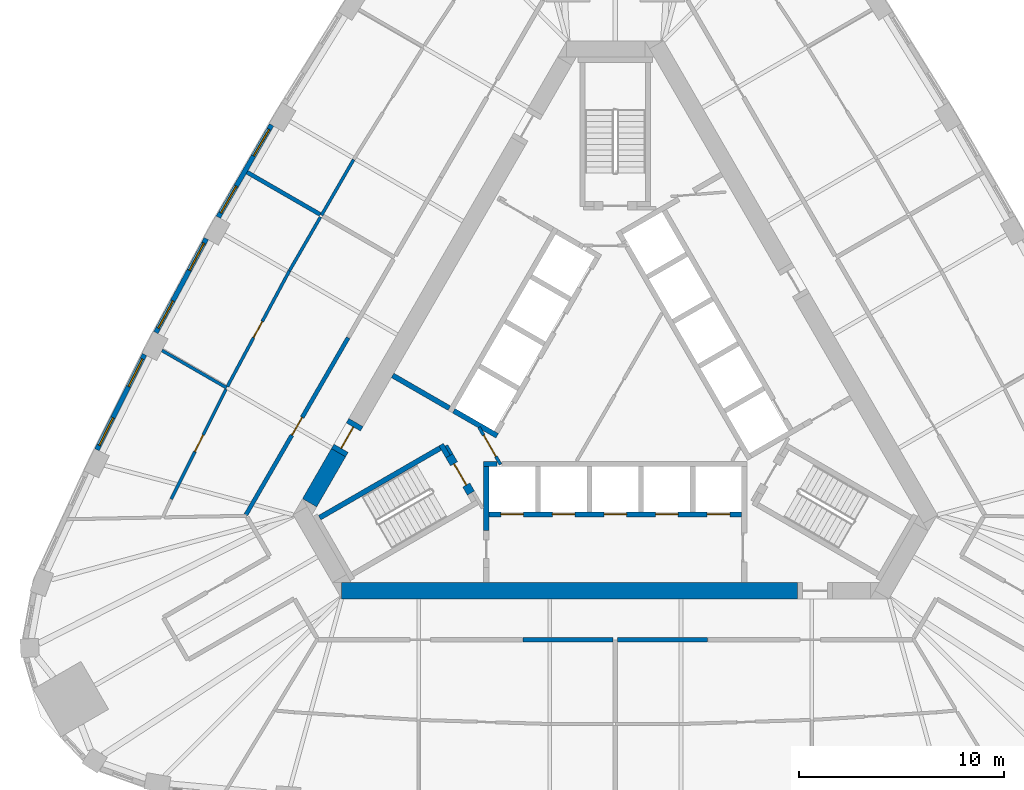
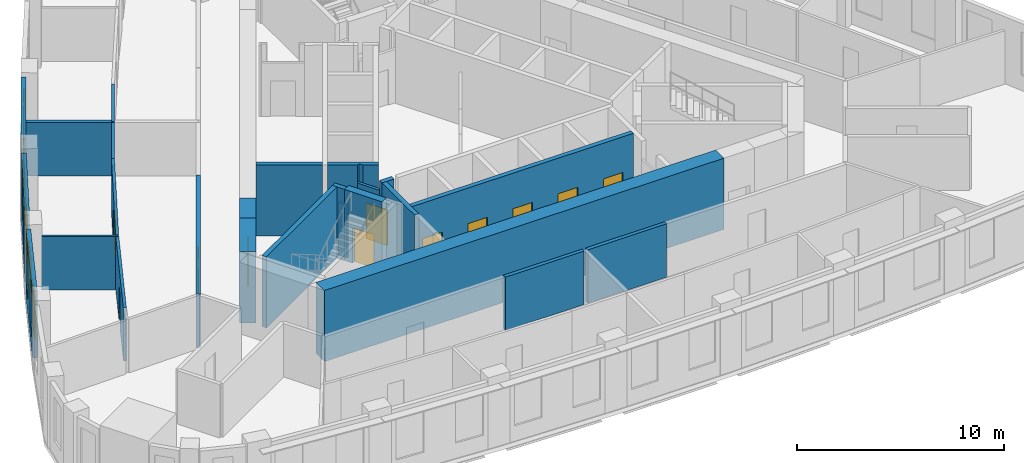
# One storey, part 4 of 10: 25 walls, 11 doors, 6 windows, 17 openings.
"""IFC4 building model written with IfcOpenShell, lengths in metres."""

from ifc_helpers import new_model, si_unit, direction, frame, frame_2d, origin, place, context, subcontext, project, spatial, polyline, rectangle, outline, extrude, material, layer, layer_set, type_object, element, fill, save


model = new_model("IFC4")

# Units and contexts
model_context = context("Model", 3, precision=1e-05, world=origin(), true_north=direction((0.0, 1.0)))
body_context = subcontext(model_context, "Body", "Model", "MODEL_VIEW")
ifc_project = project(units=[si_unit("LENGTHUNIT", "METRE"), si_unit("AREAUNIT", "SQUARE_METRE"), si_unit("VOLUMEUNIT", "CUBIC_METRE"), si_unit("PLANEANGLEUNIT", "RADIAN"), si_unit("MASSUNIT", "GRAM", prefix="KILO")], contexts=[model_context])

# Site, building, storey
site_placement = place(None, origin())
site = spatial("IfcSite", under=ifc_project, at=site_placement, CompositionType="ELEMENT")
building_placement = place(site_placement, origin())
building = spatial("IfcBuilding", under=site, at=building_placement, Name="Mestral Congress Tower", CompositionType="ELEMENT")
storey_placement = place(building_placement, frame((0.0, 0.0, 162.60009765625)))
storey = spatial("IfcBuildingStorey", under=building, at=storey_placement, Name="L38", CompositionType="ELEMENT", Elevation=162.60009765625)

# Wall
ifc_material_1 = material(Name="Fire-rated board partition")
ifc_layer_1 = layer(ifc_material_1, 0.14990234375)
ifc_layer_set_1 = layer_set([ifc_layer_1], Name="Fire-rated board partition")
wall_type_1 = type_object("IfcWallType", Name="Core partition 150", PredefinedType="PARTITIONING", material=ifc_layer_set_1)
wall_1_placement = place(storey_placement, frame((-8.251953125, -2.958251953125, 0.0), z_axis=(0.0, 0.0, 1.0), x_axis=(0.500174715838, -0.865924508047, 0.0)))
element("IfcWall", 1, at=wall_1_placement, inside=storey, type_object=wall_type_1, Name="L38 core wall", PredefinedType="PARTITIONING", context=body_context, shape_type="SweptSolid", body=[
    extrude(rectangle(XDim=0.513916015625, YDim=0.14990234375, at=frame_2d((0.2568359375, 0.0))), origin(), (0.0, 0.0, 1.0), 3.14990234375),
])

# Wall, opening, door
wall_2_placement = place(storey_placement, frame((-5.606201171875, -3.8896484375, 0.0), z_axis=(0.0, 0.0, 1.0), x_axis=(-0.500027713859, 0.866009402589, 0.0)))
wall_2 = element("IfcWall", 2, at=wall_2_placement, inside=storey, type_object=wall_type_1, Name="L38 door wall", PredefinedType="PARTITIONING", context=body_context, shape_type="SweptSolid", body=[
    extrude(rectangle(XDim=2.10009765625, YDim=0.14990234375, at=frame_2d((1.050048828125, 0.0))), origin(), (0.0, 0.0, 1.0), 3.14990234375),
])
opening_1_placement = place(wall_2_placement, frame((0.449951171875, 0.0, 0.0)))
opening_1 = element("IfcOpeningElement", 3, at=opening_1_placement, cuts=wall_2, Name="Opening CD3-FF", PredefinedType="OPENING", context=body_context, shape_type="SweptSolid", body=[
    extrude(rectangle(XDim=1.199951171875, YDim=2.10009765625, at=frame_2d((0.60009765625, 1.050048828125))), frame((0.0, 0.0849609375, 0.0), z_axis=(0.0, -1.0, 0.0), x_axis=(1.0, 0.0, 0.0)), (0.0, 0.0, 1.0), 0.169921875),
])
ifc_material_2 = material(Name="Fire-rated steel door set", Category="steel")
door_type_1 = type_object("IfcDoorType", Name="Core door CD 1200x2100", OperationType="SINGLE_SWING_LEFT", PredefinedType="DOOR", material=ifc_material_2)
door_1_placement = place(opening_1_placement, origin())
door_1 = element("IfcDoor", 4, at=door_1_placement, inside=storey, type_object=door_type_1, Name="Door CD3-FF", OperationType="SINGLE_SWING_LEFT", OverallHeight=2.10009765625, OverallWidth=1.199951171875, PredefinedType="DOOR", context=body_context, shape_type="SweptSolid", body=[
    extrude(rectangle(XDim=1.199951171875, YDim=2.10009765625, at=frame_2d((0.60009765625, 1.050048828125))), frame((0.0, 0.02490234375, 0.0), z_axis=(0.0, -1.0, 0.0), x_axis=(1.0, 0.0, 0.0)), (0.0, 0.0, 1.0), 0.050048828125),
])
fill(opening_1, door_1)

# Walls
ifc_material_3 = material(Name="Concrete C60/75", Category="concrete")
ifc_layer_2 = layer(ifc_material_3, 0.800048828125)
ifc_layer_set_2 = layer_set([ifc_layer_2], Name="Concrete C60/75")
wall_type_2 = type_object("IfcWallType", Name="Core wall RC 800", PredefinedType="SOLIDWALL", material=ifc_layer_set_2)
wall_3_placement = place(storey_placement, frame((-13.377685546875, -10.050048828125, 0.0), z_axis=(0.0, 0.0, 1.0), x_axis=(1.0, 0.0, 0.0)))
element("IfcWall", 5, at=wall_3_placement, inside=storey, type_object=wall_type_2, Name="L38 core wall", PredefinedType="SOLIDWALL", context=body_context, shape_type="SweptSolid", body=[
    extrude(rectangle(XDim=22.281982421875, YDim=0.800048828125, at=frame_2d((11.14111328125, 0.0))), origin(), (0.0, 0.0, 1.0), 4.199951171875),
])
wall_4_placement = place(storey_placement, frame((-13.518310546875, -3.314208984375, 0.0), z_axis=(0.0, 0.0, 1.0), x_axis=(-0.499969377405, -0.866043083026, 0.0)))
element("IfcWall", 6, at=wall_4_placement, inside=storey, type_object=wall_type_2, Name="L38 core wall", PredefinedType="SOLIDWALL", context=body_context, shape_type="SweptSolid", body=[
    extrude(rectangle(XDim=2.824462890625, YDim=0.800048828125, at=frame_2d((1.412109375, 0.0))), origin(), (0.0, 0.0, 1.0), 4.199951171875),
])

# Wall, opening, door
wall_5_placement = place(storey_placement, frame((-13.518310546875, -3.314208984375, 0.0), z_axis=(0.0, 0.0, 1.0), x_axis=(0.500062241894, 0.865989465428, 0.0)))
wall_5 = element("IfcWall", 7, at=wall_5_placement, inside=storey, type_object=wall_type_2, Name="L38 door wall", PredefinedType="SOLIDWALL", context=body_context, shape_type="SweptSolid", body=[
    extrude(rectangle(XDim=1.699951171875, YDim=0.800048828125, at=frame_2d((0.85009765625, 0.0))), origin(), (0.0, 0.0, 1.0), 4.199951171875),
])
opening_2_placement = place(wall_5_placement, frame((0.25, 0.0, 0.0)))
opening_2 = element("IfcOpeningElement", 8, at=opening_2_placement, cuts=wall_5, Name="Opening XD3", PredefinedType="OPENING", context=body_context, shape_type="SweptSolid", body=[
    extrude(rectangle(XDim=1.199951171875, YDim=2.10009765625, at=frame_2d((0.60009765625, 1.050048828125))), frame((0.0, 0.409912109375, 0.0), z_axis=(0.0, -1.0, 0.0), x_axis=(1.0, 0.0, 0.0)), (0.0, 0.0, 1.0), 0.820068359375),
])
door_type_2 = type_object("IfcDoorType", Name="Core door XD 1200x2100", OperationType="SINGLE_SWING_LEFT", PredefinedType="DOOR", material=ifc_material_2)
door_2_placement = place(opening_2_placement, origin())
door_2 = element("IfcDoor", 9, at=door_2_placement, inside=storey, type_object=door_type_2, Name="Door XD3", OperationType="SINGLE_SWING_LEFT", OverallHeight=2.10009765625, OverallWidth=1.199951171875, PredefinedType="DOOR", context=body_context, shape_type="SweptSolid", body=[
    extrude(rectangle(XDim=1.199951171875, YDim=2.10009765625, at=frame_2d((0.60009765625, 1.050048828125))), frame((0.0, 0.02490234375, 0.0), z_axis=(0.0, -1.0, 0.0), x_axis=(1.0, 0.0, 0.0)), (0.0, 0.0, 1.0), 0.050048828125),
])
fill(opening_2, door_2)

# Wall, openings, windows
ifc_material_4 = material(Name="Precast concrete C40/50 with limestone facing", Category="masonry")
ifc_layer_3 = layer(ifc_material_4, 0.239990234375)
ifc_layer_set_3 = layer_set([ifc_layer_3], Name="Precast concrete C40/50 with limestone facing")
wall_type_3 = type_object("IfcWallType", Name="Facade stone wall 240", PredefinedType="SOLIDWALL", material=ifc_layer_set_3)
wall_6_placement = place(storey_placement, frame((-16.788818359375, 12.697265625, 0.0), z_axis=(0.0, 0.0, 1.0), x_axis=(-0.500009456303, -0.866019944116, 0.0)))
wall_6 = element("IfcWall", 10, at=wall_6_placement, inside=storey, type_object=wall_type_3, Name="Facade wall F2-03", PredefinedType="SOLIDWALL", context=body_context, shape_type="SweptSolid", body=[
    extrude(rectangle(XDim=5.20361328125, YDim=0.239990234375, at=frame_2d((2.601806640625, 0.0))), origin(), (0.0, 0.0, 1.0), 3.949951171875),
])
opening_3_placement = place(wall_6_placement, frame((0.248291015625, 0.0, 0.89990234375)))
opening_3 = element("IfcOpeningElement", 11, at=opening_3_placement, cuts=wall_6, Name="Opening W4", PredefinedType="OPENING", context=body_context, shape_type="SweptSolid", body=[
    extrude(rectangle(XDim=1.5, YDim=2.550048828125, at=frame_2d((0.75, 1.27490234375))), frame((0.0, 0.1298828125, 0.0), z_axis=(0.0, -1.0, 0.0), x_axis=(1.0, 0.0, 0.0)), (0.0, 0.0, 1.0), 0.260009765625),
])
opening_4_placement = place(wall_6_placement, frame((3.455078125, 0.0, 0.89990234375)))
opening_4 = element("IfcOpeningElement", 12, at=opening_4_placement, cuts=wall_6, Name="Opening W4", PredefinedType="OPENING", context=body_context, shape_type="SweptSolid", body=[
    extrude(rectangle(XDim=1.5, YDim=2.550048828125, at=frame_2d((0.75, 1.27490234375))), frame((0.0, 0.1298828125, 0.0), z_axis=(0.0, -1.0, 0.0), x_axis=(1.0, 0.0, 0.0)), (0.0, 0.0, 1.0), 0.260009765625),
])
ifc_material_5 = material(Name="Clear low-emissivity double glazing", Category="glass")
window_type = type_object("IfcWindowType", Name="Facade punched window 1500 x 2550 sill 900", PartitioningType="SINGLE_PANEL", PredefinedType="WINDOW", material=ifc_material_5)
window_1_placement = place(opening_3_placement, origin())
window_1 = element("IfcWindow", 13, at=window_1_placement, inside=storey, type_object=window_type, Name="Window F2-03a", OverallHeight=2.550048828125, OverallWidth=1.5, PartitioningType="SINGLE_PANEL", PredefinedType="WINDOW", context=body_context, shape_type="SweptSolid", body=[
    extrude(rectangle(XDim=1.5, YDim=2.550048828125, at=frame_2d((0.75, 1.27490234375))), frame((0.0, 0.0400390625, 0.0), z_axis=(0.0, -1.0, 0.0), x_axis=(1.0, 0.0, 0.0)), (0.0, 0.0, 1.0), 0.06005859375),
])
fill(opening_3, window_1)
window_2_placement = place(opening_4_placement, origin())
window_2 = element("IfcWindow", 14, at=window_2_placement, inside=storey, type_object=window_type, Name="Window F2-03b", OverallHeight=2.550048828125, OverallWidth=1.5, PartitioningType="SINGLE_PANEL", PredefinedType="WINDOW", context=body_context, shape_type="SweptSolid", body=[
    extrude(rectangle(XDim=1.5, YDim=2.550048828125, at=frame_2d((0.75, 1.27490234375))), frame((0.0, 0.0400390625, 0.0), z_axis=(0.0, -1.0, 0.0), x_axis=(1.0, 0.0, 0.0)), (0.0, 0.0, 1.0), 0.06005859375),
])
fill(opening_4, window_2)

wall_7_placement = place(storey_placement, frame((-19.976806640625, 7.138671875, 0.0), z_axis=(0.0, 0.0, 1.0), x_axis=(-0.473349833294, -0.880874528704, 0.0)))
wall_7 = element("IfcWall", 15, at=wall_7_placement, inside=storey, type_object=wall_type_3, Name="Facade wall F2-04", PredefinedType="SOLIDWALL", context=body_context, shape_type="SweptSolid", body=[
    extrude(rectangle(XDim=5.20361328125, YDim=0.239990234375, at=frame_2d((2.601806640625, 0.0))), origin(), (0.0, 0.0, 1.0), 3.949951171875),
])
opening_5_placement = place(wall_7_placement, frame((0.248291015625, 0.0, 0.89990234375)))
opening_5 = element("IfcOpeningElement", 16, at=opening_5_placement, cuts=wall_7, Name="Opening W4", PredefinedType="OPENING", context=body_context, shape_type="SweptSolid", body=[
    extrude(rectangle(XDim=1.5, YDim=2.550048828125, at=frame_2d((0.75, 1.27490234375))), frame((0.0, 0.1298828125, 0.0), z_axis=(0.0, -1.0, 0.0), x_axis=(1.0, 0.0, 0.0)), (0.0, 0.0, 1.0), 0.260009765625),
])
opening_6_placement = place(wall_7_placement, frame((3.455078125, 0.0, 0.89990234375)))
opening_6 = element("IfcOpeningElement", 17, at=opening_6_placement, cuts=wall_7, Name="Opening W4", PredefinedType="OPENING", context=body_context, shape_type="SweptSolid", body=[
    extrude(rectangle(XDim=1.5, YDim=2.550048828125, at=frame_2d((0.75, 1.27490234375))), frame((0.0, 0.1298828125, 0.0), z_axis=(0.0, -1.0, 0.0), x_axis=(1.0, 0.0, 0.0)), (0.0, 0.0, 1.0), 0.260009765625),
])
window_3_placement = place(opening_5_placement, origin())
window_3 = element("IfcWindow", 18, at=window_3_placement, inside=storey, type_object=window_type, Name="Window F2-04a", OverallHeight=2.550048828125, OverallWidth=1.5, PartitioningType="SINGLE_PANEL", PredefinedType="WINDOW", context=body_context, shape_type="SweptSolid", body=[
    extrude(rectangle(XDim=1.5, YDim=2.550048828125, at=frame_2d((0.75, 1.27490234375))), frame((0.0, 0.0400390625, 0.0), z_axis=(0.0, -1.0, 0.0), x_axis=(1.0, 0.0, 0.0)), (0.0, 0.0, 1.0), 0.06005859375),
])
fill(opening_5, window_3)
window_4_placement = place(opening_6_placement, origin())
window_4 = element("IfcWindow", 19, at=window_4_placement, inside=storey, type_object=window_type, Name="Window F2-04b", OverallHeight=2.550048828125, OverallWidth=1.5, PartitioningType="SINGLE_PANEL", PredefinedType="WINDOW", context=body_context, shape_type="SweptSolid", body=[
    extrude(rectangle(XDim=1.5, YDim=2.550048828125, at=frame_2d((0.75, 1.27490234375))), frame((0.0, 0.0400390625, 0.0), z_axis=(0.0, -1.0, 0.0), x_axis=(1.0, 0.0, 0.0)), (0.0, 0.0, 1.0), 0.06005859375),
])
fill(opening_6, window_4)

wall_8_placement = place(storey_placement, frame((-22.993896484375, 1.485107421875, 0.0), z_axis=(0.0, 0.0, 1.0), x_axis=(-0.446256171312, -0.8949052629, 0.0)))
wall_8 = element("IfcWall", 20, at=wall_8_placement, inside=storey, type_object=wall_type_3, Name="Facade wall F2-05", PredefinedType="SOLIDWALL", context=body_context, shape_type="SweptSolid", body=[
    extrude(rectangle(XDim=5.203369140625, YDim=0.239990234375, at=frame_2d((2.6015625, 0.0))), origin(), (0.0, 0.0, 1.0), 3.949951171875),
])
opening_7_placement = place(wall_8_placement, frame((0.248291015625, 0.0, 0.89990234375)))
opening_7 = element("IfcOpeningElement", 21, at=opening_7_placement, cuts=wall_8, Name="Opening W4", PredefinedType="OPENING", context=body_context, shape_type="SweptSolid", body=[
    extrude(rectangle(XDim=1.5, YDim=2.550048828125, at=frame_2d((0.75, 1.27490234375))), frame((0.0, 0.1298828125, 0.0), z_axis=(0.0, -1.0, 0.0), x_axis=(1.0, 0.0, 0.0)), (0.0, 0.0, 1.0), 0.260009765625),
])
opening_8_placement = place(wall_8_placement, frame((3.455078125, 0.0, 0.89990234375)))
opening_8 = element("IfcOpeningElement", 22, at=opening_8_placement, cuts=wall_8, Name="Opening W4", PredefinedType="OPENING", context=body_context, shape_type="SweptSolid", body=[
    extrude(rectangle(XDim=1.5, YDim=2.550048828125, at=frame_2d((0.75, 1.27490234375))), frame((0.0, 0.1298828125, 0.0), z_axis=(0.0, -1.0, 0.0), x_axis=(1.0, 0.0, 0.0)), (0.0, 0.0, 1.0), 0.260009765625),
])
window_5_placement = place(opening_7_placement, origin())
window_5 = element("IfcWindow", 23, at=window_5_placement, inside=storey, type_object=window_type, Name="Window F2-05a", OverallHeight=2.550048828125, OverallWidth=1.5, PartitioningType="SINGLE_PANEL", PredefinedType="WINDOW", context=body_context, shape_type="SweptSolid", body=[
    extrude(rectangle(XDim=1.5, YDim=2.550048828125, at=frame_2d((0.75, 1.27490234375))), frame((0.0, 0.0400390625, 0.0), z_axis=(0.0, -1.0, 0.0), x_axis=(1.0, 0.0, 0.0)), (0.0, 0.0, 1.0), 0.06005859375),
])
fill(opening_7, window_5)
window_6_placement = place(opening_8_placement, origin())
window_6 = element("IfcWindow", 24, at=window_6_placement, inside=storey, type_object=window_type, Name="Window F2-05b", OverallHeight=2.550048828125, OverallWidth=1.5, PartitioningType="SINGLE_PANEL", PredefinedType="WINDOW", context=body_context, shape_type="SweptSolid", body=[
    extrude(rectangle(XDim=1.5, YDim=2.550048828125, at=frame_2d((0.75, 1.27490234375))), frame((0.0, 0.0400390625, 0.0), z_axis=(0.0, -1.0, 0.0), x_axis=(1.0, 0.0, 0.0)), (0.0, 0.0, 1.0), 0.06005859375),
])
fill(opening_8, window_6)

# Walls
ifc_material_6 = material(Name="Plasterboard partition on steel studs", Category="steel")
ifc_layer_4 = layer(ifc_material_6, 0.14990234375)
ifc_layer_set_4 = layer_set([ifc_layer_4], Name="Plasterboard partition on steel studs")
wall_type_4 = type_object("IfcWallType", Name="Office partition 150", PredefinedType="PARTITIONING", material=ifc_layer_set_4)
wall_9_placement = place(storey_placement, frame((-12.779296875, 11.001953125, 0.0), z_axis=(0.0, 0.0, 1.0), x_axis=(-0.499996312652, -0.866027532665, 0.0)))
element("IfcWall", 25, at=wall_9_placement, inside=storey, type_object=wall_type_4, Name="Partition", PredefinedType="PARTITIONING", context=body_context, shape_type="SweptSolid", body=[
    extrude(rectangle(XDim=3.13818359375, YDim=0.14990234375, at=frame_2d((1.569091796875, 0.0))), origin(), (0.0, 0.0, 1.0), 3.14990234375),
])
wall_10_placement = place(storey_placement, frame((-18.980224609375, -0.146728515625, 0.0), z_axis=(0.0, 0.0, 1.0), x_axis=(-0.866035116605, 0.499983176524, 0.0)))
element("IfcWall", 26, at=wall_10_placement, inside=storey, type_object=wall_type_4, Name="Partition", PredefinedType="PARTITIONING", context=body_context, shape_type="SweptSolid", body=[
    extrude(rectangle(XDim=3.647705078125, YDim=0.14990234375, at=frame_2d((1.82373046875, 0.0))), origin(), (0.0, 0.0, 1.0), 3.14990234375),
])
wall_11_placement = place(storey_placement, frame((-14.3984375, 8.197509765625, 0.0), z_axis=(0.0, 0.0, 1.0), x_axis=(-0.499993740961, -0.866029017412, 0.0)))
element("IfcWall", 27, at=wall_11_placement, inside=storey, type_object=wall_type_4, Name="Partition", PredefinedType="PARTITIONING", context=body_context, shape_type="SweptSolid", body=[
    extrude(rectangle(XDim=3.0380859375, YDim=0.14990234375, at=frame_2d((1.51904296875, 0.0))), origin(), (0.0, 0.0, 1.0), 3.14990234375),
])

# Wall, opening, door
wall_12_placement = place(storey_placement, frame((-18.94482421875, -0.08056640625, 0.0), z_axis=(0.0, 0.0, 1.0), x_axis=(0.472485737981, 0.881338316088, 0.0)))
wall_12 = element("IfcWall", 28, at=wall_12_placement, inside=storey, type_object=wall_type_4, Name="Partition", PredefinedType="PARTITIONING", context=body_context, shape_type="SweptSolid", body=[
    extrude(rectangle(XDim=6.4072265625, YDim=0.14990234375, at=frame_2d((3.20361328125, 0.0))), origin(), (0.0, 0.0, 1.0), 3.14990234375),
])
opening_9_placement = place(wall_12_placement, frame((2.70703125, 0.0, 0.0)))
opening_9 = element("IfcOpeningElement", 29, at=opening_9_placement, cuts=wall_12, Name="Opening O02-015", PredefinedType="OPENING", context=body_context, shape_type="SweptSolid", body=[
    extrude(rectangle(XDim=0.89990234375, YDim=2.10009765625, at=frame_2d((0.449951171875, 1.050048828125))), frame((0.0, 0.0849609375, 0.0), z_axis=(0.0, -1.0, 0.0), x_axis=(1.0, 0.0, 0.0)), (0.0, 0.0, 1.0), 0.169921875),
])
ifc_material_7 = material(Name="Timber door set", Category="wood")
door_type_3 = type_object("IfcDoorType", Name="Office door 900x2100", OperationType="SINGLE_SWING_LEFT", PredefinedType="DOOR", material=ifc_material_7)
door_3_placement = place(opening_9_placement, origin())
door_3 = element("IfcDoor", 30, at=door_3_placement, inside=storey, type_object=door_type_3, Name="Door O02-015", OperationType="SINGLE_SWING_LEFT", OverallHeight=2.10009765625, OverallWidth=0.89990234375, PredefinedType="DOOR", context=body_context, shape_type="SweptSolid", body=[
    extrude(rectangle(XDim=0.89990234375, YDim=2.10009765625, at=frame_2d((0.449951171875, 1.050048828125))), frame((0.0, 0.02490234375, 0.0), z_axis=(0.0, -1.0, 0.0), x_axis=(1.0, 0.0, 0.0)), (0.0, 0.0, 1.0), 0.050048828125),
])
fill(opening_9, door_3)

wall_13_placement = place(storey_placement, frame((-21.689208984375, -5.579345703125, 0.0), z_axis=(0.0, 0.0, 1.0), x_axis=(0.446219729364, 0.894923434225, 0.0)))
wall_13 = element("IfcWall", 31, at=wall_13_placement, inside=storey, type_object=wall_type_4, Name="Partition", PredefinedType="PARTITIONING", context=body_context, shape_type="SweptSolid", body=[
    extrude(rectangle(XDim=5.995361328125, YDim=0.14990234375, at=frame_2d((2.99755859375, 0.0))), origin(), (0.0, 0.0, 1.0), 3.14990234375),
])
opening_10_placement = place(wall_13_placement, frame((2.595458984375, 0.0, 0.0)))
opening_10 = element("IfcOpeningElement", 32, at=opening_10_placement, cuts=wall_13, Name="Opening O02-016", PredefinedType="OPENING", context=body_context, shape_type="SweptSolid", body=[
    extrude(rectangle(XDim=0.89990234375, YDim=2.10009765625, at=frame_2d((0.449951171875, 1.050048828125))), frame((0.0, 0.0849609375, 0.0), z_axis=(0.0, -1.0, 0.0), x_axis=(1.0, 0.0, 0.0)), (0.0, 0.0, 1.0), 0.169921875),
])
door_4_placement = place(opening_10_placement, origin())
door_4 = element("IfcDoor", 33, at=door_4_placement, inside=storey, type_object=door_type_3, Name="Door O02-016", OperationType="SINGLE_SWING_RIGHT", OverallHeight=2.10009765625, OverallWidth=0.89990234375, PredefinedType="DOOR", context=body_context, shape_type="SweptSolid", body=[
    extrude(rectangle(XDim=0.89990234375, YDim=2.10009765625, at=frame_2d((0.449951171875, 1.050048828125))), frame((0.0, 0.02490234375, 0.0), z_axis=(0.0, -1.0, 0.0), x_axis=(1.0, 0.0, 0.0)), (0.0, 0.0, 1.0), 0.050048828125),
])
fill(opening_10, door_4)

# Walls
ifc_material_8 = material(Name="Dense masonry wall, plastered", Category="masonry")
ifc_layer_5 = layer(ifc_material_8, 0.199951171875)
ifc_layer_set_5 = layer_set([ifc_layer_5], Name="Dense masonry wall, plastered")
wall_type_5 = type_object("IfcWallType", Name="Office tenancy wall 200", PredefinedType="PARTITIONING", material=ifc_layer_set_5)
wall_14_placement = place(storey_placement, frame((0.10009765625, -12.449951171875, 0.0), z_axis=(0.0, 0.0, 1.0), x_axis=(1.0, 0.0, 0.0)))
element("IfcWall", 34, at=wall_14_placement, inside=storey, type_object=wall_type_5, Name="Tenancy wall", PredefinedType="PARTITIONING", context=body_context, shape_type="SweptSolid", body=[
    extrude(rectangle(XDim=4.39990234375, YDim=0.199951171875, at=frame_2d((2.199951171875, 0.0))), origin(), (0.0, 0.0, 1.0), 3.14990234375),
])
wall_15_placement = place(storey_placement, frame((-14.413330078125, 8.321533203125, 0.0), z_axis=(0.0, 0.0, 1.0), x_axis=(-0.866034795751, 0.499983732284, 0.0)))
element("IfcWall", 35, at=wall_15_placement, inside=storey, type_object=wall_type_5, Name="Tenancy wall", PredefinedType="PARTITIONING", context=body_context, shape_type="SweptSolid", body=[
    extrude(rectangle(XDim=4.125244140625, YDim=0.199951171875, at=frame_2d((2.0625, 0.0))), origin(), (0.0, 0.0, 1.0), 3.14990234375),
])

# Wall, opening, door
wall_16_placement = place(storey_placement, frame((-13.047119140625, 2.302001953125, 0.0), z_axis=(0.0, 0.0, 1.0), x_axis=(-0.499986873641, -0.866032982159, 0.0)))
wall_16 = element("IfcWall", 36, at=wall_16_placement, inside=storey, type_object=wall_type_5, Name="Tenancy wall", PredefinedType="PARTITIONING", context=body_context, shape_type="SweptSolid", body=[
    extrude(rectangle(XDim=9.990478515625, YDim=0.199951171875, at=frame_2d((4.9951171875, 0.0))), origin(), (0.0, 0.0, 1.0), 3.14990234375),
])
opening_11_placement = place(wall_16_placement, frame((4.5, 0.0, 0.0)))
opening_11 = element("IfcOpeningElement", 37, at=opening_11_placement, cuts=wall_16, Name="Opening O02-017", PredefinedType="OPENING", context=body_context, shape_type="SweptSolid", body=[
    extrude(rectangle(XDim=1.0, YDim=2.10009765625, at=frame_2d((0.5, 1.050048828125))), frame((0.0, 0.10986328125, 0.0), z_axis=(0.0, -1.0, 0.0), x_axis=(1.0, 0.0, 0.0)), (0.0, 0.0, 1.0), 0.219970703125),
])
ifc_material_9 = material(Name="Fire-rated timber door set", Category="wood")
door_type_4 = type_object("IfcDoorType", Name="Office tenancy entrance door 1000x2100", OperationType="SINGLE_SWING_LEFT", PredefinedType="DOOR", material=ifc_material_9)
door_5_placement = place(opening_11_placement, origin())
door_5 = element("IfcDoor", 38, at=door_5_placement, inside=storey, type_object=door_type_4, Name="Door O02-017", OperationType="SINGLE_SWING_RIGHT", OverallHeight=2.10009765625, OverallWidth=1.0, PredefinedType="DOOR", context=body_context, shape_type="SweptSolid", body=[
    extrude(rectangle(XDim=1.0, YDim=2.10009765625, at=frame_2d((0.5, 1.050048828125))), frame((0.0, 0.02490234375, 0.0), z_axis=(0.0, -1.0, 0.0), x_axis=(1.0, 0.0, 0.0)), (0.0, 0.0, 1.0), 0.050048828125),
])
fill(opening_11, door_5)

# Walls
wall_17_placement = place(storey_placement, frame((-4.5, -12.449951171875, 0.0), z_axis=(0.0, 0.0, 1.0), x_axis=(1.0, 0.0, 0.0)))
element("IfcWall", 39, at=wall_17_placement, inside=storey, type_object=wall_type_5, Name="Tenancy wall", PredefinedType="PARTITIONING", context=body_context, shape_type="SweptSolid", body=[
    extrude(rectangle(XDim=4.39990234375, YDim=0.199951171875, at=frame_2d((2.199951171875, 0.0))), origin(), (0.0, 0.0, 1.0), 3.14990234375),
])
ifc_layer_6 = layer(ifc_material_3, 0.25)
ifc_layer_set_6 = layer_set([ifc_layer_6], Name="Concrete C60/75")
wall_type_6 = type_object("IfcWallType", Name="Shaft wall RC 250", PredefinedType="SOLIDWALL", material=ifc_layer_set_6)
wall_18_placement = place(storey_placement, frame((-6.425048828125, -3.875, 0.0), z_axis=(0.0, 0.0, 1.0), x_axis=(1.0, 0.0, 0.0)))
element("IfcWall", 40, at=wall_18_placement, inside=storey, type_object=wall_type_6, Name="L38 core wall", PredefinedType="SOLIDWALL", context=body_context, shape_type="SweptSolid", body=[
    extrude(rectangle(XDim=0.657958984375, YDim=0.25, at=frame_2d((0.3291015625, 0.0))), origin(), (0.0, 0.0, 1.0), 4.199951171875),
])
wall_19_placement = place(storey_placement, frame((-6.300048828125, -7.12451171875, 0.0), z_axis=(0.0, 0.0, 1.0), x_axis=(0.0, 1.0, 0.0)))
element("IfcWall", 41, at=wall_19_placement, inside=storey, type_object=wall_type_6, Name="L38 core wall", PredefinedType="SOLIDWALL", context=body_context, shape_type="SweptSolid", body=[
    extrude(rectangle(XDim=3.12451171875, YDim=0.25, at=frame_2d((1.562255859375, 0.0))), origin(), (0.0, 0.0, 1.0), 4.199951171875),
])
wall_20_placement = place(storey_placement, origin())
element("IfcWall", 42, at=wall_20_placement, inside=storey, type_object=wall_type_6, Name="L38 core wall", PredefinedType="SOLIDWALL", context=body_context, shape_type="SweptSolid", body=[
    extrude(outline(polyline([(-5.921630859375, -2.256591796875), (-5.921630859375, -2.256591796875), (-5.705078125, -2.381591796875), (-5.830078125, -2.597900390625), (-6.48291015625, -2.22119140625), (-6.59130859375, -2.033447265625), (-6.59130859375, -2.033447265625), (-6.69970703125, -2.095947265625), (-7.951904296875, -1.373046875), (-7.826904296875, -1.156494140625), (-5.921630859375, -2.256591796875)])), origin(), (0.0, 0.0, 1.0), 4.199951171875),
])
wall_21_placement = place(storey_placement, frame((-8.10595703125, -1.139892578125, 0.0), z_axis=(0.0, 0.0, 1.0), x_axis=(-0.866008981251, 0.500028443584, 0.0)))
element("IfcWall", 43, at=wall_21_placement, inside=storey, type_object=wall_type_6, Name="L38 core wall", PredefinedType="SOLIDWALL", context=body_context, shape_type="SweptSolid", body=[
    extrude(rectangle(XDim=3.199951171875, YDim=0.25, at=frame_2d((1.60009765625, 0.0))), origin(), (0.0, 0.0, 1.0), 4.199951171875),
])

# Wall, openings, doors
wall_22_placement = place(storey_placement, frame((-6.175048828125, -6.324951171875, 0.0), z_axis=(0.0, 0.0, 1.0), x_axis=(1.0, 0.0, 0.0)))
wall_22 = element("IfcWall", 44, at=wall_22_placement, inside=storey, type_object=wall_type_6, Name="L38 door wall", PredefinedType="SOLIDWALL", context=body_context, shape_type="SweptSolid", body=[
    extrude(rectangle(XDim=12.35009765625, YDim=0.25, at=frame_2d((6.175048828125, 0.0))), origin(), (0.0, 0.0, 1.0), 4.199951171875),
])
opening_12_placement = place(wall_22_placement, frame((0.5849609375, 0.0, 0.0)))
opening_12 = element("IfcOpeningElement", 45, at=opening_12_placement, cuts=wall_22, Name="Opening LD-SOB1", PredefinedType="OPENING", context=body_context, shape_type="SweptSolid", body=[
    extrude(rectangle(XDim=1.10009765625, YDim=2.10009765625, at=frame_2d((0.550048828125, 1.050048828125))), frame((0.0, 0.135009765625, 0.0), z_axis=(0.0, -1.0, 0.0), x_axis=(1.0, 0.0, 0.0)), (0.0, 0.0, 1.0), 0.27001953125),
])
opening_13_placement = place(wall_22_placement, frame((3.10498046875, 0.0, 0.0)))
opening_13 = element("IfcOpeningElement", 46, at=opening_13_placement, cuts=wall_22, Name="Opening LD-SOB2", PredefinedType="OPENING", context=body_context, shape_type="SweptSolid", body=[
    extrude(rectangle(XDim=1.10009765625, YDim=2.10009765625, at=frame_2d((0.550048828125, 1.050048828125))), frame((0.0, 0.135009765625, 0.0), z_axis=(0.0, -1.0, 0.0), x_axis=(1.0, 0.0, 0.0)), (0.0, 0.0, 1.0), 0.27001953125),
])
opening_14_placement = place(wall_22_placement, frame((5.625, 0.0, 0.0)))
opening_14 = element("IfcOpeningElement", 47, at=opening_14_placement, cuts=wall_22, Name="Opening LD-SOB3", PredefinedType="OPENING", context=body_context, shape_type="SweptSolid", body=[
    extrude(rectangle(XDim=1.10009765625, YDim=2.10009765625, at=frame_2d((0.550048828125, 1.050048828125))), frame((0.0, 0.135009765625, 0.0), z_axis=(0.0, -1.0, 0.0), x_axis=(1.0, 0.0, 0.0)), (0.0, 0.0, 1.0), 0.27001953125),
])
opening_15_placement = place(wall_22_placement, frame((8.14501953125, 0.0, 0.0)))
opening_15 = element("IfcOpeningElement", 48, at=opening_15_placement, cuts=wall_22, Name="Opening LD-SOB4", PredefinedType="OPENING", context=body_context, shape_type="SweptSolid", body=[
    extrude(rectangle(XDim=1.10009765625, YDim=2.10009765625, at=frame_2d((0.550048828125, 1.050048828125))), frame((0.0, 0.135009765625, 0.0), z_axis=(0.0, -1.0, 0.0), x_axis=(1.0, 0.0, 0.0)), (0.0, 0.0, 1.0), 0.27001953125),
])
opening_16_placement = place(wall_22_placement, frame((10.6650390625, 0.0, 0.0)))
opening_16 = element("IfcOpeningElement", 49, at=opening_16_placement, cuts=wall_22, Name="Opening LD-SOB5", PredefinedType="OPENING", context=body_context, shape_type="SweptSolid", body=[
    extrude(rectangle(XDim=1.10009765625, YDim=2.10009765625, at=frame_2d((0.550048828125, 1.050048828125))), frame((0.0, 0.135009765625, 0.0), z_axis=(0.0, -1.0, 0.0), x_axis=(1.0, 0.0, 0.0)), (0.0, 0.0, 1.0), 0.27001953125),
])
door_type_5 = type_object("IfcDoorType", Name="Core door LD 1100x2100", OperationType="DOUBLE_DOOR_SLIDING", PredefinedType="DOOR", material=ifc_material_2)
door_6_placement = place(opening_12_placement, origin())
door_6 = element("IfcDoor", 50, at=door_6_placement, inside=storey, type_object=door_type_5, Name="Door LD-SOB1", OperationType="DOUBLE_DOOR_SLIDING", OverallHeight=2.10009765625, OverallWidth=1.10009765625, PredefinedType="DOOR", context=body_context, shape_type="SweptSolid", body=[
    extrude(rectangle(XDim=1.10009765625, YDim=2.10009765625, at=frame_2d((0.550048828125, 1.050048828125))), frame((0.0, 0.02490234375, 0.0), z_axis=(0.0, -1.0, 0.0), x_axis=(1.0, 0.0, 0.0)), (0.0, 0.0, 1.0), 0.050048828125),
])
fill(opening_12, door_6)
door_7_placement = place(opening_13_placement, origin())
door_7 = element("IfcDoor", 51, at=door_7_placement, inside=storey, type_object=door_type_5, Name="Door LD-SOB2", OperationType="DOUBLE_DOOR_SLIDING", OverallHeight=2.10009765625, OverallWidth=1.10009765625, PredefinedType="DOOR", context=body_context, shape_type="SweptSolid", body=[
    extrude(rectangle(XDim=1.10009765625, YDim=2.10009765625, at=frame_2d((0.550048828125, 1.050048828125))), frame((0.0, 0.02490234375, 0.0), z_axis=(0.0, -1.0, 0.0), x_axis=(1.0, 0.0, 0.0)), (0.0, 0.0, 1.0), 0.050048828125),
])
fill(opening_13, door_7)
door_8_placement = place(opening_14_placement, origin())
door_8 = element("IfcDoor", 52, at=door_8_placement, inside=storey, type_object=door_type_5, Name="Door LD-SOB3", OperationType="DOUBLE_DOOR_SLIDING", OverallHeight=2.10009765625, OverallWidth=1.10009765625, PredefinedType="DOOR", context=body_context, shape_type="SweptSolid", body=[
    extrude(rectangle(XDim=1.10009765625, YDim=2.10009765625, at=frame_2d((0.550048828125, 1.050048828125))), frame((0.0, 0.02490234375, 0.0), z_axis=(0.0, -1.0, 0.0), x_axis=(1.0, 0.0, 0.0)), (0.0, 0.0, 1.0), 0.050048828125),
])
fill(opening_14, door_8)
door_9_placement = place(opening_15_placement, origin())
door_9 = element("IfcDoor", 53, at=door_9_placement, inside=storey, type_object=door_type_5, Name="Door LD-SOB4", OperationType="DOUBLE_DOOR_SLIDING", OverallHeight=2.10009765625, OverallWidth=1.10009765625, PredefinedType="DOOR", context=body_context, shape_type="SweptSolid", body=[
    extrude(rectangle(XDim=1.10009765625, YDim=2.10009765625, at=frame_2d((0.550048828125, 1.050048828125))), frame((0.0, 0.02490234375, 0.0), z_axis=(0.0, -1.0, 0.0), x_axis=(1.0, 0.0, 0.0)), (0.0, 0.0, 1.0), 0.050048828125),
])
fill(opening_15, door_9)
door_10_placement = place(opening_16_placement, origin())
door_10 = element("IfcDoor", 54, at=door_10_placement, inside=storey, type_object=door_type_5, Name="Door LD-SOB5", OperationType="DOUBLE_DOOR_SLIDING", OverallHeight=2.10009765625, OverallWidth=1.10009765625, PredefinedType="DOOR", context=body_context, shape_type="SweptSolid", body=[
    extrude(rectangle(XDim=1.10009765625, YDim=2.10009765625, at=frame_2d((0.550048828125, 1.050048828125))), frame((0.0, 0.02490234375, 0.0), z_axis=(0.0, -1.0, 0.0), x_axis=(1.0, 0.0, 0.0)), (0.0, 0.0, 1.0), 0.050048828125),
])
fill(opening_16, door_10)

# Walls
ifc_layer_7 = layer(ifc_material_3, 0.25)
ifc_layer_set_7 = layer_set([ifc_layer_7], Name="Concrete C60/75")
wall_type_7 = type_object("IfcWallType", Name="Stair wall RC 250", PredefinedType="SOLIDWALL", material=ifc_layer_set_7)
wall_23_placement = place(storey_placement, frame((-14.43994140625, -6.489501953125, 0.0), z_axis=(0.0, 0.0, 1.0), x_axis=(0.866022966069, 0.500004222222, 0.0)))
element("IfcWall", 55, at=wall_23_placement, inside=storey, type_object=wall_type_7, Name="L38 core wall", PredefinedType="SOLIDWALL", context=body_context, shape_type="SweptSolid", body=[
    extrude(rectangle(XDim=6.80029296875, YDim=0.25, at=frame_2d((3.400146484375, 0.0))), origin(), (0.0, 0.0, 1.0), 4.199951171875),
])
wall_24_placement = place(storey_placement, frame((-8.167724609375, -3.503173828125, 0.0), z_axis=(0.0, 0.0, 1.0), x_axis=(-0.499952099219, 0.866053057547, 0.0)))
element("IfcWall", 56, at=wall_24_placement, inside=storey, type_object=wall_type_7, Name="L38 core wall", PredefinedType="SOLIDWALL", context=body_context, shape_type="SweptSolid", body=[
    extrude(rectangle(XDim=0.6748046875, YDim=0.25, at=frame_2d((0.33740234375, 0.0))), origin(), (0.0, 0.0, 1.0), 4.199951171875),
])

# Wall, opening, door
ifc_layer_8 = layer(ifc_material_3, 0.39990234375)
ifc_layer_set_8 = layer_set([ifc_layer_8], Name="Concrete C60/75")
wall_type_8 = type_object("IfcWallType", Name="Stair wall RC 250 door-wall 400", PredefinedType="SOLIDWALL", material=ifc_layer_set_8)
wall_25_placement = place(storey_placement, frame((-8.102783203125, -3.4658203125, 0.0), z_axis=(0.0, 0.0, 1.0), x_axis=(0.500078061341, -0.865980330357, 0.0)))
wall_25 = element("IfcWall", 57, at=wall_25_placement, inside=storey, type_object=wall_type_8, Name="L38 door wall", PredefinedType="SOLIDWALL", context=body_context, shape_type="SweptSolid", body=[
    extrude(rectangle(XDim=2.099853515625, YDim=0.39990234375, at=frame_2d((1.0498046875, 0.0))), origin(), (0.0, 0.0, 1.0), 4.199951171875),
])
opening_17_placement = place(wall_25_placement, frame((0.449951171875, 0.0, 0.0)))
opening_17 = element("IfcOpeningElement", 58, at=opening_17_placement, cuts=wall_25, Name="Opening ST-D3", PredefinedType="OPENING", context=body_context, shape_type="SweptSolid", body=[
    extrude(rectangle(XDim=1.199951171875, YDim=2.10009765625, at=frame_2d((0.60009765625, 1.050048828125))), frame((0.0, 0.2099609375, 0.0), z_axis=(0.0, -1.0, 0.0), x_axis=(1.0, 0.0, 0.0)), (0.0, 0.0, 1.0), 0.419921875),
])
door_type_6 = type_object("IfcDoorType", Name="Core door ST 1200x2100", OperationType="SINGLE_SWING_LEFT", PredefinedType="DOOR", material=ifc_material_2)
door_11_placement = place(opening_17_placement, origin())
door_11 = element("IfcDoor", 59, at=door_11_placement, inside=storey, type_object=door_type_6, Name="Door ST-D3", OperationType="SINGLE_SWING_LEFT", OverallHeight=2.10009765625, OverallWidth=1.199951171875, PredefinedType="DOOR", context=body_context, shape_type="SweptSolid", body=[
    extrude(rectangle(XDim=1.199951171875, YDim=2.10009765625, at=frame_2d((0.60009765625, 1.050048828125))), frame((0.0, 0.02490234375, 0.0), z_axis=(0.0, -1.0, 0.0), x_axis=(1.0, 0.0, 0.0)), (0.0, 0.0, 1.0), 0.050048828125),
])
fill(opening_17, door_11)

save(model, "model.ifc")
